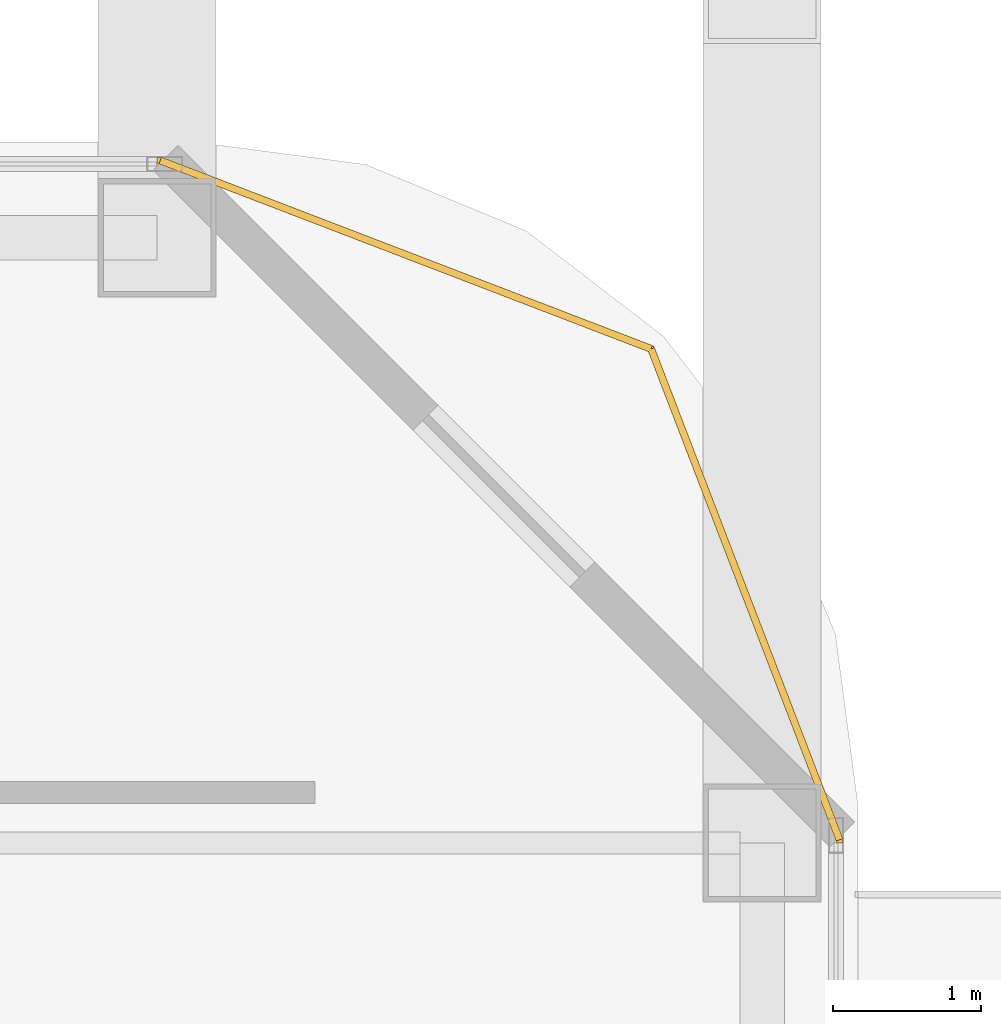
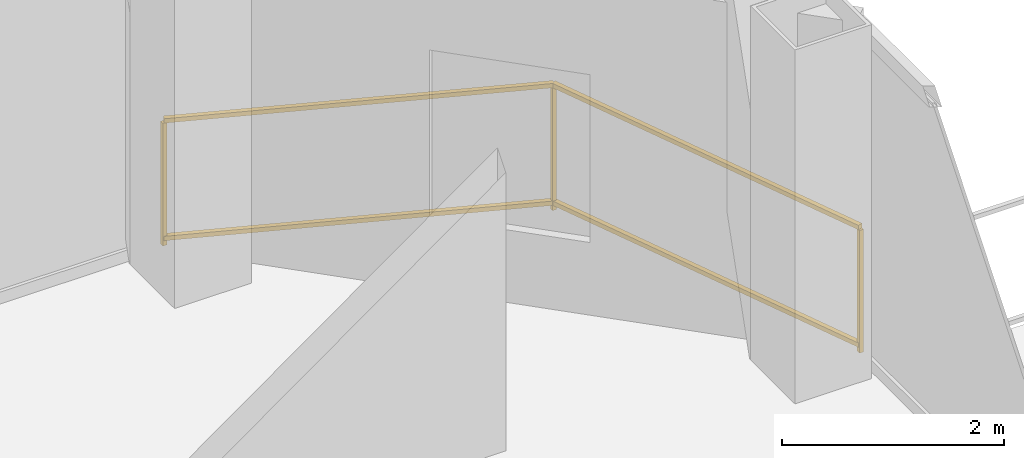
# One storey, part 33 of 33: 1 railing.
"""IFC4 building model written with IfcOpenShell, lengths in metres."""

from ifc_helpers import new_model, si_unit, direction, frame, origin, origin_2d, place, context, subcontext, project, spatial, rectangle, extrude, material, type_object, element, save


model = new_model("IFC4")

# Units and contexts
model_context = context("Model", 3, precision=1e-05, world=origin(), true_north=direction((0.0, 1.0)))
body_context = subcontext(model_context, "Body", "Model", "MODEL_VIEW")
ifc_project = project(units=[si_unit("LENGTHUNIT", "METRE"), si_unit("AREAUNIT", "SQUARE_METRE"), si_unit("VOLUMEUNIT", "CUBIC_METRE"), si_unit("PLANEANGLEUNIT", "RADIAN"), si_unit("MASSUNIT", "GRAM", prefix="KILO")], contexts=[model_context])

# Site, building, storey
site_placement = place(None, origin())
site = spatial("IfcSite", under=ifc_project, at=site_placement, CompositionType="ELEMENT")
building_placement = place(site_placement, origin())
building = spatial("IfcBuilding", under=site, at=building_placement, Name="Khorvyn Point Tower", CompositionType="ELEMENT")
storey_placement = place(building_placement, frame((0.0, 0.0, 65.699951171875)))
storey = spatial("IfcBuildingStorey", under=building, at=storey_placement, Name="L17", CompositionType="ELEMENT", Elevation=65.699951171875)

# Railing
ifc_material = material(Name="Anodised aluminium 6063-T6 and laminated safety glass", Category="aluminium")
railing_type = type_object("IfcRailingType", Name="Laminated Glass and Aluminium Balcony Guardrail 1400", PredefinedType="BALUSTRADE", material=ifc_material)
railing_placement = place(storey_placement, frame((22.174072265625, 20.470703125, 0.0)))
element("IfcRailing", 1, at=railing_placement, inside=storey, type_object=railing_type, Name="L17 Rounded Corner Edge Guardrail NE", PredefinedType="BALUSTRADE", context=body_context, shape_type="SweptSolid", body=[
    extrude(rectangle(XDim=0.048095703125, YDim=0.048095703125, at=origin_2d()), frame((0.0, 0.0, 1.3759765625), z_axis=(-0.358359142172, 0.933583807283, 0.0), x_axis=(-0.933583807283, -0.358359142172, 0.0)), (0.0, 0.0, 1.0), 3.56298828125),
    extrude(rectangle(XDim=0.048095703125, YDim=0.048095703125, at=origin_2d()), frame((0.0, 0.0, 0.080078125), z_axis=(-0.358359142172, 0.933583807283, 0.0), x_axis=(-0.933583807283, -0.358359142172, 0.0)), (0.0, 0.0, 1.0), 3.56298828125),
    extrude(rectangle(XDim=0.048095703125, YDim=0.048095703125, at=origin_2d()), frame((-1.27685546875, 3.326416015625, 1.3759765625), z_axis=(-0.933583807283, 0.358359142172, 0.0), x_axis=(-0.358359142172, -0.933583807283, 0.0)), (0.0, 0.0, 1.0), 3.56298828125),
    extrude(rectangle(XDim=0.048095703125, YDim=0.048095703125, at=origin_2d()), frame((-1.27685546875, 3.326416015625, 0.080078125), z_axis=(-0.933583807283, 0.358359142172, 0.0), x_axis=(-0.358359142172, -0.933583807283, 0.0)), (0.0, 0.0, 1.0), 3.56298828125),
    extrude(rectangle(XDim=0.0419921875, YDim=0.0419921875, at=origin_2d()), origin(), (0.0, 0.0, 1.0), 1.351806640625),
    extrude(rectangle(XDim=0.0419921875, YDim=0.0419921875, at=origin_2d()), frame((-1.27685546875, 3.326416015625, 0.0)), (0.0, 0.0, 1.0), 1.351806640625),
    extrude(rectangle(XDim=0.0419921875, YDim=0.0419921875, at=origin_2d()), frame((-4.603271484375, 4.603271484375, 0.0)), (0.0, 0.0, 1.0), 1.351806640625),
])

save(model, "model.ifc")
